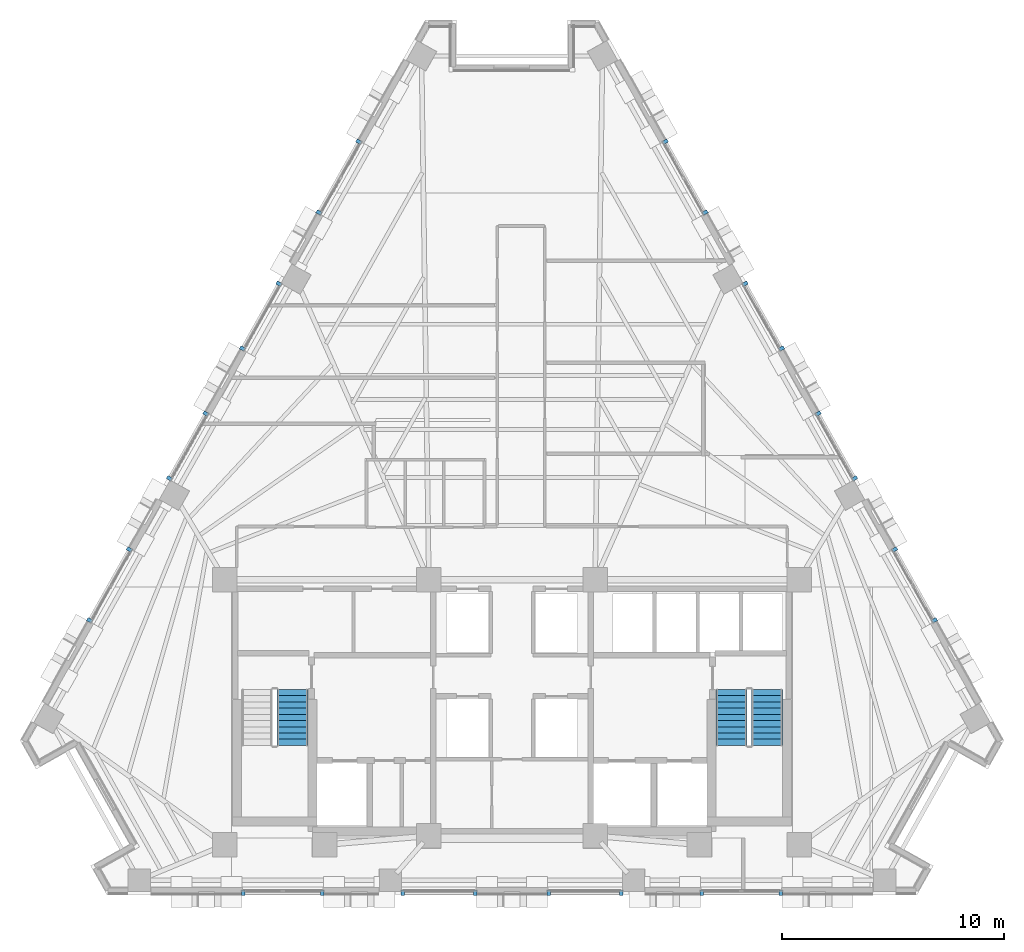
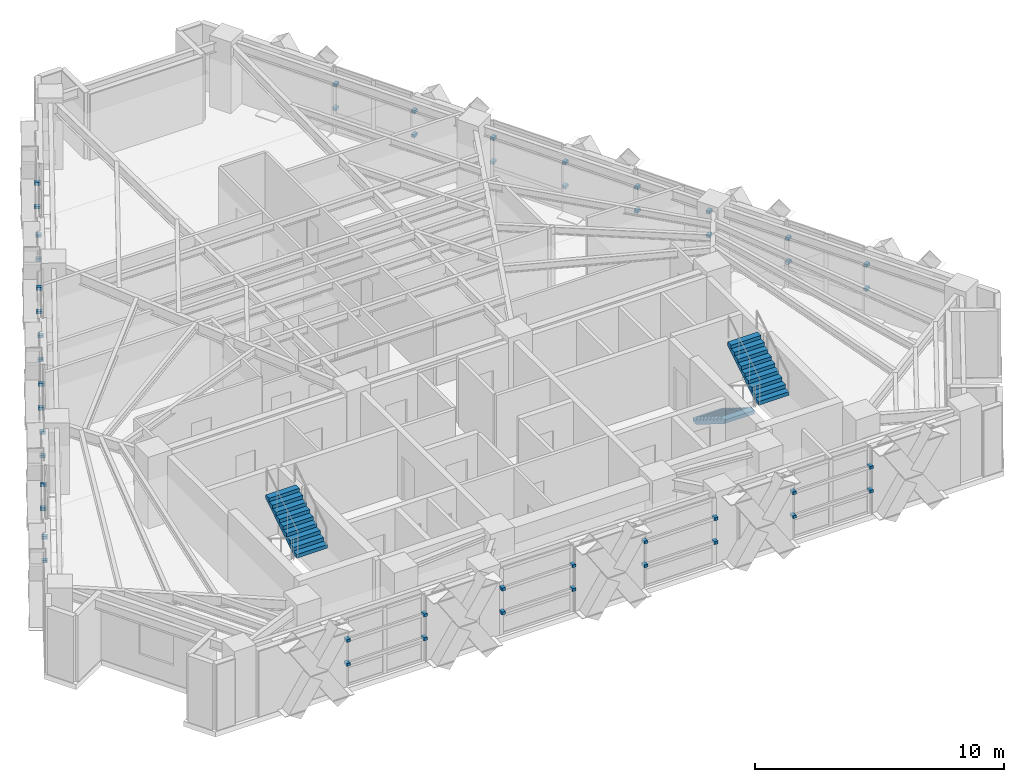
# One storey, part 10 of 14: 48 discrete accessories, 3 stair flights, 2 elements without a shape of their own.
"""IFC4 building model written with IfcOpenShell, lengths in metres."""

from ifc_helpers import new_model, si_unit, direction, frame, origin, origin_2d, place, context, subcontext, project, spatial, polyline, rectangle, outline, extrude, material, layer, layer_set, type_object, element, aggregate, save


model = new_model("IFC4")

# Units and contexts
model_context = context("Model", 3, precision=1e-05, world=origin(), true_north=direction((0.0, 1.0)))
body_context = subcontext(model_context, "Body", "Model", "MODEL_VIEW")
ifc_project = project(units=[si_unit("LENGTHUNIT", "METRE"), si_unit("AREAUNIT", "SQUARE_METRE"), si_unit("VOLUMEUNIT", "CUBIC_METRE"), si_unit("PLANEANGLEUNIT", "RADIAN"), si_unit("MASSUNIT", "GRAM", prefix="KILO")], contexts=[model_context])

# Site, building, storey
site_placement = place(None, origin())
site = spatial("IfcSite", under=ifc_project, at=site_placement, CompositionType="ELEMENT")
building_placement = place(site_placement, origin())
building = spatial("IfcBuilding", under=site, at=building_placement, Name="Quenlor Broadcast Tower", CompositionType="ELEMENT")
storey_placement = place(building_placement, frame((0.0, 0.0, 133.5)))
storey = spatial("IfcBuildingStorey", under=building, at=storey_placement, Name="L36", CompositionType="ELEMENT", Elevation=133.5)

# Stair, stair flight
ifc_material_1 = material(Name="Precast concrete C40/50", Category="concrete")
stair_type = type_object("IfcStairType", Name="Precast Concrete C40/50 Dogleg Stair H350", PredefinedType="HALF_TURN_STAIR", material=ifc_material_1)
stair_1_placement = place(storey_placement, origin())
stair_1 = element("IfcStair", 1, at=stair_1_placement, inside=storey, type_object=stair_type, Name="L36 West Core Fire-Isolated Exit Stair ST-1", PredefinedType="HALF_TURN_STAIR")
ifc_material_2 = material(Name="Precast concrete C40/50", Category="concrete")
ifc_layer = layer(ifc_material_2, 0.159912109375)
ifc_layer_set = layer_set([ifc_layer], Name="Precast Concrete C40/50 Stair Flight H350")
stair_flight_type = type_object("IfcStairFlightType", Name="Precast Concrete C40/50 Stair Flight H350", PredefinedType="STRAIGHT", material=ifc_layer_set)
stair_flight_1_placement = place(storey_placement, frame((-9.89990234375, -12.27001953125, 1.75), z_axis=(0.0, 0.0, 1.0), x_axis=(0.0, 1.0, 0.0)))
stair_flight_1 = element("IfcStairFlight", 2, at=stair_flight_1_placement, type_object=stair_flight_type, Name="ST-1 flight 2", NumberOfRisers=10, NumberOfTreads=9, PredefinedType="STRAIGHT", RiserHeight=0.175, TreadLength=0.28, context=body_context, shape_type="SweptSolid", body=[
    extrude(outline(polyline([(0.0, 0.0), (0.0, 0.175048828125), (0.280029296875, 0.175048828125), (0.280029296875, 0.35009765625), (0.56005859375, 0.35009765625), (0.56005859375, 0.52490234375), (0.840087890625, 0.52490234375), (0.840087890625, 0.699951171875), (1.1201171875, 0.699951171875), (1.1201171875, 0.875), (1.39990234375, 0.875), (1.39990234375, 1.050048828125), (1.679931640625, 1.050048828125), (1.679931640625, 1.22509765625), (1.9599609375, 1.22509765625), (1.9599609375, 1.39990234375), (2.239990234375, 1.39990234375), (2.239990234375, 1.574951171875), (2.52001953125, 1.574951171875), (2.52001953125, 1.75), (2.52001953125, 1.398193359375), (0.28271484375, 0.0), (0.0, 0.0)])), frame((0.0, 0.699951171875, 0.0), z_axis=(0.0, -1.0, 0.0), x_axis=(1.0, 0.0, 0.0)), (0.0, 0.0, 1.0), 1.39990234375),
])
aggregate(stair_1, [stair_flight_1])

# Stair, stair flights
stair_2_placement = place(storey_placement, origin())
stair_2 = element("IfcStair", 3, at=stair_2_placement, inside=storey, type_object=stair_type, Name="L36 East Core Fire-Isolated Exit Stair ST-2", PredefinedType="HALF_TURN_STAIR")
stair_flight_2_placement = place(storey_placement, frame((9.89990234375, -9.75, 0.0), z_axis=(0.0, 0.0, 1.0), x_axis=(0.0, -1.0, 0.0)))
stair_flight_2 = element("IfcStairFlight", 4, at=stair_flight_2_placement, type_object=stair_flight_type, Name="ST-2 flight 1", NumberOfRisers=10, NumberOfTreads=9, PredefinedType="STRAIGHT", RiserHeight=0.175, TreadLength=0.28, context=body_context, shape_type="SweptSolid", body=[
    extrude(outline(polyline([(0.0, 0.0), (0.0, 0.175048828125), (0.280029296875, 0.175048828125), (0.280029296875, 0.35009765625), (0.56005859375, 0.35009765625), (0.56005859375, 0.52490234375), (0.840087890625, 0.52490234375), (0.840087890625, 0.699951171875), (1.1201171875, 0.699951171875), (1.1201171875, 0.875), (1.39990234375, 0.875), (1.39990234375, 1.050048828125), (1.679931640625, 1.050048828125), (1.679931640625, 1.22509765625), (1.9599609375, 1.22509765625), (1.9599609375, 1.39990234375), (2.239990234375, 1.39990234375), (2.239990234375, 1.574951171875), (2.52001953125, 1.574951171875), (2.52001953125, 1.75), (2.52001953125, 1.398193359375), (0.28271484375, 0.0), (0.0, 0.0)])), frame((0.0, 0.699951171875, 0.0), z_axis=(0.0, -1.0, 0.0), x_axis=(1.0, 0.0, 0.0)), (0.0, 0.0, 1.0), 1.39990234375),
])
stair_flight_3_placement = place(storey_placement, frame((11.5, -12.27001953125, 1.75), z_axis=(0.0, 0.0, 1.0), x_axis=(0.0, 1.0, 0.0)))
stair_flight_3 = element("IfcStairFlight", 5, at=stair_flight_3_placement, type_object=stair_flight_type, Name="ST-2 flight 2", NumberOfRisers=10, NumberOfTreads=9, PredefinedType="STRAIGHT", RiserHeight=0.175, TreadLength=0.28, context=body_context, shape_type="SweptSolid", body=[
    extrude(outline(polyline([(0.0, 0.0), (0.0, 0.175048828125), (0.280029296875, 0.175048828125), (0.280029296875, 0.35009765625), (0.56005859375, 0.35009765625), (0.56005859375, 0.52490234375), (0.840087890625, 0.52490234375), (0.840087890625, 0.699951171875), (1.1201171875, 0.699951171875), (1.1201171875, 0.875), (1.39990234375, 0.875), (1.39990234375, 1.050048828125), (1.679931640625, 1.050048828125), (1.679931640625, 1.22509765625), (1.9599609375, 1.22509765625), (1.9599609375, 1.39990234375), (2.239990234375, 1.39990234375), (2.239990234375, 1.574951171875), (2.52001953125, 1.574951171875), (2.52001953125, 1.75), (2.52001953125, 1.398193359375), (0.28271484375, 0.0), (0.0, 0.0)])), frame((0.0, 0.699951171875, 0.0), z_axis=(0.0, -1.0, 0.0), x_axis=(1.0, 0.0, 0.0)), (0.0, 0.0, 1.0), 1.39990234375),
])
aggregate(stair_2, [stair_flight_2, stair_flight_3])

# Discrete accessories
ifc_material_3 = material(Name="Aluminium 6063-T6", Category="aluminium")
discrete_accessory_type = type_object("IfcDiscreteAccessoryType", Name="Stainless Mullion Baguette Support Bracket", PredefinedType="BRACKET", material=ifc_material_3)
for number, where, z_axis, x_axis, name in (
    (6, (12.114013671875, -18.919921875, 1.10009765625), (0.0, 0.0, 1.0), (-1.0, 0.0, 0.0), "L36 Baguette Mullion Bracket 1.1"),
    (7, (8.550048828125, -18.919921875, 1.10009765625), (0.0, 0.0, 1.0), (-1.0, 0.0, 0.0), "L36 Baguette Mullion Bracket 1.2"),
    (8, (12.114013671875, -18.919921875, 2.27001953125), (0.0, 0.0, 1.0), (-1.0, 0.0, 0.0), "L36 Baguette Mullion Bracket 2.1"),
    (9, (8.550048828125, -18.919921875, 2.27001953125), (0.0, 0.0, 1.0), (-1.0, 0.0, 0.0), "L36 Baguette Mullion Bracket 2.2"),
    (10, (-8.550048828125, -18.919921875, 1.10009765625), (0.0, 0.0, 1.0), (-1.0, 0.0, 0.0), "L36 Baguette Mullion Bracket 1.1"),
    (11, (-12.114013671875, -18.919921875, 1.10009765625), (0.0, 0.0, 1.0), (-1.0, 0.0, 0.0), "L36 Baguette Mullion Bracket 1.2"),
    (12, (-8.550048828125, -18.919921875, 2.27001953125), (0.0, 0.0, 1.0), (-1.0, 0.0, 0.0), "L36 Baguette Mullion Bracket 2.1"),
    (13, (-12.114013671875, -18.919921875, 2.27001953125), (0.0, 0.0, 1.0), (-1.0, 0.0, 0.0), "L36 Baguette Mullion Bracket 2.2"),
    (14, (4.926025390625, -18.919921875, 1.10009765625), (0.0, 0.0, 1.0), (-1.0, 0.0, 0.0), "L36 Baguette Mullion Bracket 1.1"),
    (15, (1.662109375, -18.919921875, 1.10009765625), (0.0, 0.0, 1.0), (-1.0, 0.0, 0.0), "L36 Baguette Mullion Bracket 1.2"),
    (16, (4.926025390625, -18.919921875, 2.27001953125), (0.0, 0.0, 1.0), (-1.0, 0.0, 0.0), "L36 Baguette Mullion Bracket 2.1"),
    (17, (1.662109375, -18.919921875, 2.27001953125), (0.0, 0.0, 1.0), (-1.0, 0.0, 0.0), "L36 Baguette Mullion Bracket 2.2"),
    (18, (-1.662109375, -18.919921875, 1.10009765625), (0.0, 0.0, 1.0), (-1.0, 0.0, 0.0), "L36 Baguette Mullion Bracket 1.1"),
    (19, (-4.926025390625, -18.919921875, 1.10009765625), (0.0, 0.0, 1.0), (-1.0, 0.0, 0.0), "L36 Baguette Mullion Bracket 1.2"),
    (20, (-1.662109375, -18.919921875, 2.27001953125), (0.0, 0.0, 1.0), (-1.0, 0.0, 0.0), "L36 Baguette Mullion Bracket 2.1"),
    (21, (-4.926025390625, -18.919921875, 2.27001953125), (0.0, 0.0, 1.0), (-1.0, 0.0, 0.0), "L36 Baguette Mullion Bracket 2.2"),
    (22, (6.909912109375, 14.952392578125, 1.10009765625), (0.0, 0.0, 1.0), (0.490269552242, -0.871570861229, 0.0), "L36 Baguette Mullion Bracket 1.1"),
    (23, (8.706298828125, 11.7587890625, 1.10009765625), (0.0, 0.0, 1.0), (0.490269552242, -0.871570861229, 0.0), "L36 Baguette Mullion Bracket 1.2"),
    (24, (6.909912109375, 14.952392578125, 2.27001953125), (0.0, 0.0, 1.0), (0.490269552242, -0.871570861229, 0.0), "L36 Baguette Mullion Bracket 2.1"),
    (25, (8.706298828125, 11.7587890625, 2.27001953125), (0.0, 0.0, 1.0), (0.490269552242, -0.871570861229, 0.0), "L36 Baguette Mullion Bracket 2.2"),
    (26, (17.25439453125, -3.437255859375, 1.10009765625), (0.0, 0.0, 1.0), (0.490258903959, -0.871576850937, 0.0), "L36 Baguette Mullion Bracket 1.1"),
    (27, (19.050537109375, -6.630859375, 1.10009765625), (0.0, 0.0, 1.0), (0.490258903959, -0.871576850937, 0.0), "L36 Baguette Mullion Bracket 1.2"),
    (28, (17.25439453125, -3.437255859375, 2.27001953125), (0.0, 0.0, 1.0), (0.490258903959, -0.871576850937, 0.0), "L36 Baguette Mullion Bracket 2.1"),
    (29, (19.050537109375, -6.630859375, 2.27001953125), (0.0, 0.0, 1.0), (0.490258903959, -0.871576850937, 0.0), "L36 Baguette Mullion Bracket 2.2"),
    (30, (10.511962890625, 8.549072265625, 1.10009765625), (0.0, 0.0, 1.0), (0.490255861579, -0.871578562258, 0.0), "L36 Baguette Mullion Bracket 1.1"),
    (31, (12.154296875, 5.62890625, 1.10009765625), (0.0, 0.0, 1.0), (0.490255861579, -0.871578562258, 0.0), "L36 Baguette Mullion Bracket 1.2"),
    (32, (10.511962890625, 8.549072265625, 2.27001953125), (0.0, 0.0, 1.0), (0.490255861579, -0.871578562258, 0.0), "L36 Baguette Mullion Bracket 2.1"),
    (33, (12.154296875, 5.62890625, 2.27001953125), (0.0, 0.0, 1.0), (0.490255861579, -0.871578562258, 0.0), "L36 Baguette Mullion Bracket 2.2"),
    (34, (13.80615234375, 2.692626953125, 1.10009765625), (0.0, 0.0, 1.0), (0.490268031063, -0.87157171691, 0.0), "L36 Baguette Mullion Bracket 1.1"),
    (35, (15.44873046875, -0.2275390625, 1.10009765625), (0.0, 0.0, 1.0), (0.490268031063, -0.87157171691, 0.0), "L36 Baguette Mullion Bracket 1.2"),
    (36, (13.80615234375, 2.692626953125, 2.27001953125), (0.0, 0.0, 1.0), (0.490268031063, -0.87157171691, 0.0), "L36 Baguette Mullion Bracket 2.1"),
    (37, (15.44873046875, -0.2275390625, 2.27001953125), (0.0, 0.0, 1.0), (0.490268031063, -0.87157171691, 0.0), "L36 Baguette Mullion Bracket 2.2"),
    (38, (-19.050537109375, -6.630859375, 1.10009765625), (0.0, 0.0, 1.0), (0.490258903959, 0.871576850937, 0.0), "L36 Baguette Mullion Bracket 1.1"),
    (39, (-17.25439453125, -3.437255859375, 1.10009765625), (0.0, 0.0, 1.0), (0.490258903959, 0.871576850937, 0.0), "L36 Baguette Mullion Bracket 1.2"),
    (40, (-19.050537109375, -6.630859375, 2.27001953125), (0.0, 0.0, 1.0), (0.490258903959, 0.871576850937, 0.0), "L36 Baguette Mullion Bracket 2.1"),
    (41, (-17.25439453125, -3.437255859375, 2.27001953125), (0.0, 0.0, 1.0), (0.490258903959, 0.871576850937, 0.0), "L36 Baguette Mullion Bracket 2.2"),
    (42, (-8.706298828125, 11.7587890625, 1.10009765625), (0.0, 0.0, 1.0), (0.490269552242, 0.871570861229, 0.0), "L36 Baguette Mullion Bracket 1.1"),
    (43, (-6.909912109375, 14.952392578125, 1.10009765625), (0.0, 0.0, 1.0), (0.490269552242, 0.871570861229, 0.0), "L36 Baguette Mullion Bracket 1.2"),
    (44, (-8.706298828125, 11.7587890625, 2.27001953125), (0.0, 0.0, 1.0), (0.490269552242, 0.871570861229, 0.0), "L36 Baguette Mullion Bracket 2.1"),
    (45, (-6.909912109375, 14.952392578125, 2.27001953125), (0.0, 0.0, 1.0), (0.490269552242, 0.871570861229, 0.0), "L36 Baguette Mullion Bracket 2.2"),
    (46, (-15.44873046875, -0.2275390625, 1.10009765625), (0.0, 0.0, 1.0), (0.490268031063, 0.87157171691, 0.0), "L36 Baguette Mullion Bracket 1.1"),
    (47, (-13.80615234375, 2.692626953125, 1.10009765625), (0.0, 0.0, 1.0), (0.490268031063, 0.87157171691, 0.0), "L36 Baguette Mullion Bracket 1.2"),
    (48, (-15.44873046875, -0.2275390625, 2.27001953125), (0.0, 0.0, 1.0), (0.490268031063, 0.87157171691, 0.0), "L36 Baguette Mullion Bracket 2.1"),
    (49, (-13.80615234375, 2.692626953125, 2.27001953125), (0.0, 0.0, 1.0), (0.490268031063, 0.87157171691, 0.0), "L36 Baguette Mullion Bracket 2.2"),
    (50, (-12.154296875, 5.62890625, 1.10009765625), (0.0, 0.0, 1.0), (0.490255861579, 0.871578562258, 0.0), "L36 Baguette Mullion Bracket 1.1"),
    (51, (-10.511962890625, 8.549072265625, 1.10009765625), (0.0, 0.0, 1.0), (0.490255861579, 0.871578562258, 0.0), "L36 Baguette Mullion Bracket 1.2"),
    (52, (-12.154296875, 5.62890625, 2.27001953125), (0.0, 0.0, 1.0), (0.490255861579, 0.871578562258, 0.0), "L36 Baguette Mullion Bracket 2.1"),
    (53, (-10.511962890625, 8.549072265625, 2.27001953125), (0.0, 0.0, 1.0), (0.490255861579, 0.871578562258, 0.0), "L36 Baguette Mullion Bracket 2.2"),
):
    element("IfcDiscreteAccessory", number, at=place(storey_placement, frame(where, z_axis=z_axis, x_axis=x_axis)), inside=storey, type_object=discrete_accessory_type, Name=name, PredefinedType="BRACKET", context=body_context, shape_type="SweptSolid", body=[
        extrude(rectangle(XDim=0.159912109375, YDim=0.239990234375, at=origin_2d()), origin(), (0.0, 0.0, 1.0), 0.139892578125),
    ])

save(model, "model.ifc")
